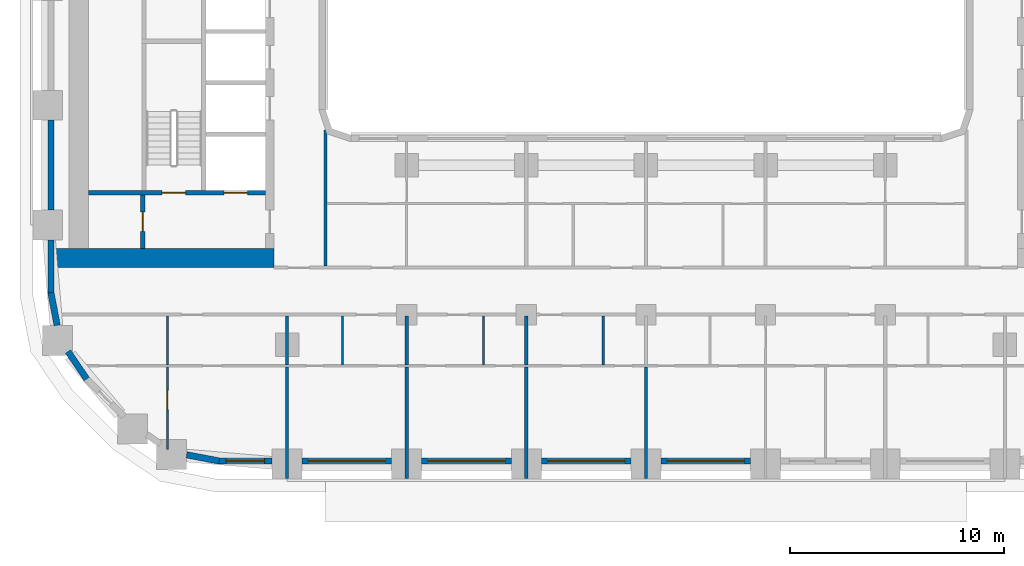
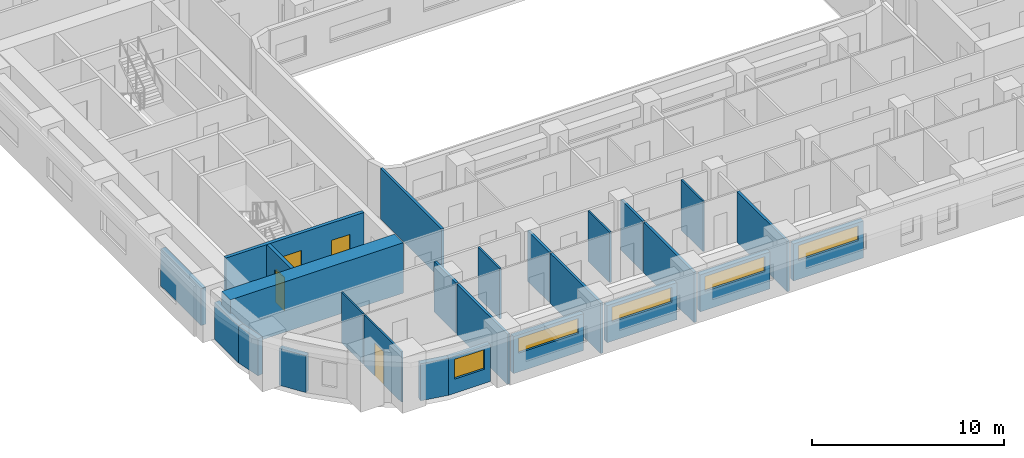
# One storey, part 2 of 22: 26 walls, 5 windows, 4 doors, 9 openings.
"""IFC4 building model written with IfcOpenShell, lengths in metres."""

from ifc_helpers import new_model, si_unit, direction, frame, frame_2d, origin, place, context, subcontext, project, spatial, rectangle, extrude, material, layer, layer_set, type_object, element, fill, save


model = new_model("IFC4")

# Units and contexts
model_context = context("Model", 3, precision=1e-05, world=origin(), true_north=direction((0.0, 1.0)))
body_context = subcontext(model_context, "Body", "Model", "MODEL_VIEW")
ifc_project = project(units=[si_unit("LENGTHUNIT", "METRE"), si_unit("AREAUNIT", "SQUARE_METRE"), si_unit("VOLUMEUNIT", "CUBIC_METRE"), si_unit("PLANEANGLEUNIT", "RADIAN"), si_unit("MASSUNIT", "GRAM", prefix="KILO")], contexts=[model_context])

# Site, building, storey
site_placement = place(None, origin())
site = spatial("IfcSite", under=ifc_project, at=site_placement, CompositionType="ELEMENT")
building_placement = place(site_placement, origin())
building = spatial("IfcBuilding", under=site, at=building_placement, Name="Kiln Ring Residences", CompositionType="ELEMENT")
storey_placement = place(building_placement, frame((0.0, 0.0, 62.0)))
storey = spatial("IfcBuildingStorey", under=building, at=storey_placement, Name="L15", CompositionType="ELEMENT", Elevation=62.0)

# Wall, opening, door
ifc_material_1 = material(Name="Gypsum board on steel studs", Category="steel")
ifc_layer_1 = layer(ifc_material_1, 0.199951171875)
ifc_layer_set_1 = layer_set([ifc_layer_1], Name="CORE-PARTITION-200")
wall_type_1 = type_object("IfcWallType", Name="CORE-PARTITION-200", PredefinedType="PARTITIONING", material=ifc_layer_set_1)
wall_1_placement = place(storey_placement, frame((-23.550048828125, -12.300048828125, 0.0), z_axis=(0.0, 0.0, 1.0), x_axis=(0.0, 1.0, 0.0)))
wall_1 = element("IfcWall", 1, at=wall_1_placement, inside=storey, type_object=wall_type_1, Name="Core partition west L15 5", PredefinedType="PARTITIONING", context=body_context, shape_type="SweptSolid", body=[
    extrude(rectangle(XDim=2.5, YDim=0.199951171875, at=frame_2d((1.25, 0.0))), origin(), (0.0, 0.0, 1.0), 3.199951171875),
])
opening_1_placement = place(wall_1_placement, frame((0.800048828125, 0.0, 0.0)))
opening_1 = element("IfcOpeningElement", 2, at=opening_1_placement, cuts=wall_1, Name="Opening L15-CW11", PredefinedType="OPENING", context=body_context, shape_type="SweptSolid", body=[
    extrude(rectangle(XDim=0.89990234375, YDim=2.10009765625, at=frame_2d((0.449951171875, 1.050048828125))), frame((0.0, 0.10986328125, 0.0), z_axis=(0.0, -1.0, 0.0), x_axis=(1.0, 0.0, 0.0)), (0.0, 0.0, 1.0), 0.219970703125),
])
ifc_material_2 = material(Name="Steel door leaf", Category="steel")
door_type_1 = type_object("IfcDoorType", Name="CORE-DOOR-ROOM", OperationType="SINGLE_SWING_LEFT", PredefinedType="DOOR", material=ifc_material_2)
door_1_placement = place(opening_1_placement, origin())
door_1 = element("IfcDoor", 3, at=door_1_placement, inside=storey, type_object=door_type_1, Name="Store L15-CW11", OperationType="SINGLE_SWING_LEFT", OverallHeight=2.10009765625, OverallWidth=0.89990234375, PredefinedType="DOOR", context=body_context, shape_type="SweptSolid", body=[
    extrude(rectangle(XDim=0.89990234375, YDim=2.10009765625, at=frame_2d((0.449951171875, 1.050048828125))), frame((0.0, 0.02490234375, 0.0), z_axis=(0.0, -1.0, 0.0), x_axis=(1.0, 0.0, 0.0)), (0.0, 0.0, 1.0), 0.050048828125),
])
fill(opening_1, door_1)

# Wall, openings, doors
ifc_material_3 = material(Name="Concrete C40/50", Category="concrete")
ifc_layer_2 = layer(ifc_material_3, 0.199951171875)
ifc_layer_set_2 = layer_set([ifc_layer_2], Name="CORE-WALL-RC200")
wall_type_2 = type_object("IfcWallType", Name="CORE-WALL-RC200", PredefinedType="SHEAR", material=ifc_layer_set_2)
wall_2_placement = place(storey_placement, frame((-17.800048828125, -9.699951171875, 0.0), z_axis=(0.0, 0.0, 1.0), x_axis=(-1.0, 0.0, 0.0)))
wall_2 = element("IfcWall", 4, at=wall_2_placement, inside=storey, type_object=wall_type_2, Name="Core wall west L15 8", PredefinedType="SHEAR", context=body_context, shape_type="SweptSolid", body=[
    extrude(rectangle(XDim=8.300048828125, YDim=0.199951171875, at=frame_2d((4.14990234375, 0.0))), origin(), (0.0, 0.0, 1.0), 3.199951171875),
])
opening_2_placement = place(wall_2_placement, frame((0.85009765625, 0.0, 0.0)))
opening_2 = element("IfcOpeningElement", 5, at=opening_2_placement, cuts=wall_2, Name="Opening L15-CW01", PredefinedType="OPENING", context=body_context, shape_type="SweptSolid", body=[
    extrude(rectangle(XDim=1.10009765625, YDim=2.10009765625, at=frame_2d((0.550048828125, 1.050048828125))), frame((0.0, 0.10986328125, 0.0), z_axis=(0.0, -1.0, 0.0), x_axis=(1.0, 0.0, 0.0)), (0.0, 0.0, 1.0), 0.219970703125),
])
opening_3_placement = place(wall_2_placement, frame((3.75, 0.0, 0.0)))
opening_3 = element("IfcOpeningElement", 6, at=opening_3_placement, cuts=wall_2, Name="Opening L15-CW13", PredefinedType="OPENING", context=body_context, shape_type="SweptSolid", body=[
    extrude(rectangle(XDim=1.10009765625, YDim=2.10009765625, at=frame_2d((0.550048828125, 1.050048828125))), frame((0.0, 0.10986328125, 0.0), z_axis=(0.0, -1.0, 0.0), x_axis=(1.0, 0.0, 0.0)), (0.0, 0.0, 1.0), 0.219970703125),
])
ifc_material_4 = material(Name="Steel door leaf", Category="steel")
door_type_2 = type_object("IfcDoorType", Name="CORE-DOOR-LD", OperationType="DOUBLE_DOOR_SLIDING", PredefinedType="DOOR", material=ifc_material_4)
door_2_placement = place(opening_2_placement, origin())
door_2 = element("IfcDoor", 7, at=door_2_placement, inside=storey, type_object=door_type_2, Name="LD W-SV L15-CW01", OperationType="DOUBLE_DOOR_SLIDING", OverallHeight=2.10009765625, OverallWidth=1.10009765625, PredefinedType="DOOR", context=body_context, shape_type="SweptSolid", body=[
    extrude(rectangle(XDim=1.10009765625, YDim=2.10009765625, at=frame_2d((0.550048828125, 1.050048828125))), frame((0.0, 0.02490234375, 0.0), z_axis=(0.0, -1.0, 0.0), x_axis=(1.0, 0.0, 0.0)), (0.0, 0.0, 1.0), 0.050048828125),
])
fill(opening_2, door_2)
ifc_material_5 = material(Name="Steel door leaf", Category="steel")
door_type_3 = type_object("IfcDoorType", Name="CORE-DOOR-STAIR", OperationType="SINGLE_SWING_LEFT", PredefinedType="DOOR", material=ifc_material_5)
door_3_placement = place(opening_3_placement, origin())
door_3 = element("IfcDoor", 8, at=door_3_placement, inside=storey, type_object=door_type_3, Name="Stair W-STS L15-CW13", OperationType="SINGLE_SWING_RIGHT", OverallHeight=2.10009765625, OverallWidth=1.10009765625, PredefinedType="DOOR", context=body_context, shape_type="SweptSolid", body=[
    extrude(rectangle(XDim=1.10009765625, YDim=2.10009765625, at=frame_2d((0.550048828125, 1.050048828125))), frame((0.0, 0.02490234375, 0.0), z_axis=(0.0, -1.0, 0.0), x_axis=(1.0, 0.0, 0.0)), (0.0, 0.0, 1.0), 0.050048828125),
])
fill(opening_3, door_3)

# Walls
ifc_material_6 = material(Name="Concrete C60/75", Category="concrete")
ifc_layer_3 = layer(ifc_material_6, 0.89990234375)
ifc_layer_set_3 = layer_set([ifc_layer_3], Name="CORE-WALL-RC900")
wall_type_3 = type_object("IfcWallType", Name="CORE-WALL-RC900", PredefinedType="SHEAR", material=ifc_layer_set_3)
wall_3_placement = place(storey_placement, frame((-17.39990234375, -12.75, 0.0), z_axis=(0.0, 0.0, 1.0), x_axis=(-1.0, 0.0, 0.0)))
element("IfcWall", 9, at=wall_3_placement, inside=storey, type_object=wall_type_3, Name="Core wall west L15 5", PredefinedType="SHEAR", context=body_context, shape_type="SweptSolid", body=[
    extrude(rectangle(XDim=10.400146484375, YDim=0.89990234375, at=frame_2d((5.2001953125, 0.0))), origin(), (0.0, 0.0, 1.0), 3.199951171875),
])
ifc_material_7 = material(Name="Brick masonry, dark clay brick", Category="masonry")
ifc_layer_4 = layer(ifc_material_7, 0.300048828125)
ifc_layer_set_4 = layer_set([ifc_layer_4], Name="EW-300 BRICK WALL")
wall_type_4 = type_object("IfcWallType", Name="EW-300 BRICK WALL", PredefinedType="SOLIDWALL", material=ifc_layer_set_4)
wall_4_placement = place(storey_placement, frame((-21.50048828125, -21.961181640625, 0.0), z_axis=(0.0, 0.0, 1.0), x_axis=(0.982297345734, -0.187328386968, 0.0)))
element("IfcWall", 10, at=wall_4_placement, inside=storey, type_object=wall_type_4, Name="Facade wall L15 3", PredefinedType="SOLIDWALL", context=body_context, shape_type="SweptSolid", body=[
    extrude(rectangle(XDim=1.55615234375, YDim=0.300048828125, at=frame_2d((0.778076171875, 0.0))), origin(), (0.0, 0.0, 1.0), 2.35009765625),
])

# Wall, opening, window
wall_5_placement = place(storey_placement, frame((-20.0, -22.25, 0.0), z_axis=(0.0, 0.0, 1.0), x_axis=(1.0, 0.0, 0.0)))
wall_5 = element("IfcWall", 11, at=wall_5_placement, inside=storey, type_object=wall_type_4, Name="Facade wall L15 4", PredefinedType="SOLIDWALL", context=body_context, shape_type="SweptSolid", body=[
    extrude(rectangle(XDim=2.5, YDim=0.300048828125, at=frame_2d((1.25, 0.0))), origin(), (0.0, 0.0, 1.0), 2.35009765625),
])
opening_4_placement = place(wall_5_placement, frame((0.35009765625, 0.0, 0.89990234375)))
opening_4 = element("IfcOpeningElement", 12, at=opening_4_placement, cuts=wall_5, Name="Opening W2", PredefinedType="OPENING", context=body_context, shape_type="SweptSolid", body=[
    extrude(rectangle(XDim=1.800048828125, YDim=1.25, at=frame_2d((0.89990234375, 0.625))), frame((0.0, 0.159912109375, 0.0), z_axis=(0.0, -1.0, 0.0), x_axis=(1.0, 0.0, 0.0)), (0.0, 0.0, 1.0), 0.320068359375),
])
ifc_material_8 = material(Name="Aluminium frame with double glazing", Category="aluminium")
window_type_1 = type_object("IfcWindowType", Name="WINDOW 1800 x 1250", PartitioningType="SINGLE_PANEL", PredefinedType="WINDOW", material=ifc_material_8)
window_1_placement = place(opening_4_placement, origin())
window_1 = element("IfcWindow", 13, at=window_1_placement, inside=storey, type_object=window_type_1, Name="Window L15 2", OverallHeight=1.25, OverallWidth=1.800048828125, PartitioningType="SINGLE_PANEL", PredefinedType="WINDOW", context=body_context, shape_type="SweptSolid", body=[
    extrude(rectangle(XDim=1.800048828125, YDim=1.25, at=frame_2d((0.89990234375, 0.625))), frame((0.0, 0.030029296875, 0.0), z_axis=(0.0, -1.0, 0.0), x_axis=(1.0, 0.0, 0.0)), (0.0, 0.0, 1.0), 0.06005859375),
])
fill(opening_4, window_1)

wall_6_placement = place(storey_placement, frame((-16.10009765625, -22.25, 0.0), z_axis=(0.0, 0.0, 1.0), x_axis=(1.0, 0.0, 0.0)))
wall_6 = element("IfcWall", 14, at=wall_6_placement, inside=storey, type_object=wall_type_4, Name="Facade wall L15 5", PredefinedType="SOLIDWALL", context=body_context, shape_type="SweptSolid", body=[
    extrude(rectangle(XDim=4.2001953125, YDim=0.300048828125, at=frame_2d((2.10009765625, 0.0))), origin(), (0.0, 0.0, 1.0), 2.35009765625),
])
opening_5_placement = place(wall_6_placement, frame((0.300048828125, 0.0, 1.199951171875)))
opening_5 = element("IfcOpeningElement", 15, at=opening_5_placement, cuts=wall_6, Name="Opening W4", PredefinedType="OPENING", context=body_context, shape_type="SweptSolid", body=[
    extrude(rectangle(XDim=3.60009765625, YDim=0.949951171875, at=frame_2d((1.800048828125, 0.47509765625))), frame((0.0, 0.159912109375, 0.0), z_axis=(0.0, -1.0, 0.0), x_axis=(1.0, 0.0, 0.0)), (0.0, 0.0, 1.0), 0.320068359375),
])
ifc_material_9 = material(Name="Aluminium frame with double glazing", Category="aluminium")
window_type_2 = type_object("IfcWindowType", Name="WINDOW 3600 x 950", PartitioningType="SINGLE_PANEL", PredefinedType="WINDOW", material=ifc_material_9)
window_2_placement = place(opening_5_placement, origin())
window_2 = element("IfcWindow", 16, at=window_2_placement, inside=storey, type_object=window_type_2, Name="Window L15 3", OverallHeight=0.949951171875, OverallWidth=3.60009765625, PartitioningType="SINGLE_PANEL", PredefinedType="WINDOW", context=body_context, shape_type="SweptSolid", body=[
    extrude(rectangle(XDim=3.60009765625, YDim=0.949951171875, at=frame_2d((1.800048828125, 0.47509765625))), frame((0.0, 0.030029296875, 0.0), z_axis=(0.0, -1.0, 0.0), x_axis=(1.0, 0.0, 0.0)), (0.0, 0.0, 1.0), 0.06005859375),
])
fill(opening_5, window_2)

wall_7_placement = place(storey_placement, frame((-10.5, -22.25, 0.0), z_axis=(0.0, 0.0, 1.0), x_axis=(1.0, 0.0, 0.0)))
wall_7 = element("IfcWall", 17, at=wall_7_placement, inside=storey, type_object=wall_type_4, Name="Facade wall L15 6", PredefinedType="SOLIDWALL", context=body_context, shape_type="SweptSolid", body=[
    extrude(rectangle(XDim=4.199951171875, YDim=0.300048828125, at=frame_2d((2.10009765625, 0.0))), origin(), (0.0, 0.0, 1.0), 2.35009765625),
])
opening_6_placement = place(wall_7_placement, frame((0.300048828125, 0.0, 1.199951171875)))
opening_6 = element("IfcOpeningElement", 18, at=opening_6_placement, cuts=wall_7, Name="Opening W4", PredefinedType="OPENING", context=body_context, shape_type="SweptSolid", body=[
    extrude(rectangle(XDim=3.60009765625, YDim=0.949951171875, at=frame_2d((1.800048828125, 0.47509765625))), frame((0.0, 0.159912109375, 0.0), z_axis=(0.0, -1.0, 0.0), x_axis=(1.0, 0.0, 0.0)), (0.0, 0.0, 1.0), 0.320068359375),
])
window_3_placement = place(opening_6_placement, origin())
window_3 = element("IfcWindow", 19, at=window_3_placement, inside=storey, type_object=window_type_2, Name="Window L15 4", OverallHeight=0.949951171875, OverallWidth=3.60009765625, PartitioningType="SINGLE_PANEL", PredefinedType="WINDOW", context=body_context, shape_type="SweptSolid", body=[
    extrude(rectangle(XDim=3.60009765625, YDim=0.949951171875, at=frame_2d((1.800048828125, 0.47509765625))), frame((0.0, 0.030029296875, 0.0), z_axis=(0.0, -1.0, 0.0), x_axis=(1.0, 0.0, 0.0)), (0.0, 0.0, 1.0), 0.06005859375),
])
fill(opening_6, window_3)

wall_8_placement = place(storey_placement, frame((-4.89990234375, -22.25, 0.0), z_axis=(0.0, 0.0, 1.0), x_axis=(1.0, 0.0, 0.0)))
wall_8 = element("IfcWall", 20, at=wall_8_placement, inside=storey, type_object=wall_type_4, Name="Facade wall L15 7", PredefinedType="SOLIDWALL", context=body_context, shape_type="SweptSolid", body=[
    extrude(rectangle(XDim=4.199951171875, YDim=0.300048828125, at=frame_2d((2.10009765625, 0.0))), origin(), (0.0, 0.0, 1.0), 2.35009765625),
])
opening_7_placement = place(wall_8_placement, frame((0.300048828125, 0.0, 1.199951171875)))
opening_7 = element("IfcOpeningElement", 21, at=opening_7_placement, cuts=wall_8, Name="Opening W4", PredefinedType="OPENING", context=body_context, shape_type="SweptSolid", body=[
    extrude(rectangle(XDim=3.60009765625, YDim=0.949951171875, at=frame_2d((1.800048828125, 0.47509765625))), frame((0.0, 0.159912109375, 0.0), z_axis=(0.0, -1.0, 0.0), x_axis=(1.0, 0.0, 0.0)), (0.0, 0.0, 1.0), 0.320068359375),
])
window_4_placement = place(opening_7_placement, origin())
window_4 = element("IfcWindow", 22, at=window_4_placement, inside=storey, type_object=window_type_2, Name="Window L15 5", OverallHeight=0.949951171875, OverallWidth=3.60009765625, PartitioningType="SINGLE_PANEL", PredefinedType="WINDOW", context=body_context, shape_type="SweptSolid", body=[
    extrude(rectangle(XDim=3.60009765625, YDim=0.949951171875, at=frame_2d((1.800048828125, 0.47509765625))), frame((0.0, 0.030029296875, 0.0), z_axis=(0.0, -1.0, 0.0), x_axis=(1.0, 0.0, 0.0)), (0.0, 0.0, 1.0), 0.06005859375),
])
fill(opening_7, window_4)

wall_9_placement = place(storey_placement, frame((0.699951171875, -22.25, 0.0), z_axis=(0.0, 0.0, 1.0), x_axis=(1.0, 0.0, 0.0)))
wall_9 = element("IfcWall", 23, at=wall_9_placement, inside=storey, type_object=wall_type_4, Name="Facade wall L15 8", PredefinedType="SOLIDWALL", context=body_context, shape_type="SweptSolid", body=[
    extrude(rectangle(XDim=4.199951171875, YDim=0.300048828125, at=frame_2d((2.10009765625, 0.0))), origin(), (0.0, 0.0, 1.0), 2.35009765625),
])
opening_8_placement = place(wall_9_placement, frame((0.300048828125, 0.0, 1.199951171875)))
opening_8 = element("IfcOpeningElement", 24, at=opening_8_placement, cuts=wall_9, Name="Opening W4", PredefinedType="OPENING", context=body_context, shape_type="SweptSolid", body=[
    extrude(rectangle(XDim=3.60009765625, YDim=0.949951171875, at=frame_2d((1.800048828125, 0.47509765625))), frame((0.0, 0.159912109375, 0.0), z_axis=(0.0, -1.0, 0.0), x_axis=(1.0, 0.0, 0.0)), (0.0, 0.0, 1.0), 0.320068359375),
])
window_5_placement = place(opening_8_placement, origin())
window_5 = element("IfcWindow", 25, at=window_5_placement, inside=storey, type_object=window_type_2, Name="Window L15 6", OverallHeight=0.949951171875, OverallWidth=3.60009765625, PartitioningType="SINGLE_PANEL", PredefinedType="WINDOW", context=body_context, shape_type="SweptSolid", body=[
    extrude(rectangle(XDim=3.60009765625, YDim=0.949951171875, at=frame_2d((1.800048828125, 0.47509765625))), frame((0.0, 0.030029296875, 0.0), z_axis=(0.0, -1.0, 0.0), x_axis=(1.0, 0.0, 0.0)), (0.0, 0.0, 1.0), 0.06005859375),
])
fill(opening_8, window_5)

# Walls
wall_10_placement = place(storey_placement, frame((-27.85009765625, -6.300048828125, 0.0), z_axis=(0.0, 0.0, 1.0), x_axis=(0.0, -1.0, 0.0)))
element("IfcWall", 26, at=wall_10_placement, inside=storey, type_object=wall_type_4, Name="Facade wall L15 45", PredefinedType="SOLIDWALL", context=body_context, shape_type="SweptSolid", body=[
    extrude(rectangle(XDim=4.199951171875, YDim=0.300048828125, at=frame_2d((2.10009765625, 0.0))), origin(), (0.0, 0.0, 1.0), 2.35009765625),
])
wall_11_placement = place(storey_placement, frame((-27.85009765625, -11.89990234375, 0.0), z_axis=(0.0, 0.0, 1.0), x_axis=(0.0, -1.0, 0.0)))
element("IfcWall", 27, at=wall_11_placement, inside=storey, type_object=wall_type_4, Name="Facade wall L15 46", PredefinedType="SOLIDWALL", context=body_context, shape_type="SweptSolid", body=[
    extrude(rectangle(XDim=2.5, YDim=0.300048828125, at=frame_2d((1.25, 0.0))), origin(), (0.0, 0.0, 1.0), 2.35009765625),
])
for number, where, z_axis, x_axis, name in (
    (28, (-27.8525390625, -14.371826171875, 0.0), (0.0, 0.0, 1.0), (0.187328386968, -0.982297345734, 0.0), "Facade wall L15 47"),
    (29, (-27.053466796875, -17.125732421875, 0.0), (0.0, 0.0, 1.0), (0.56199241657, -0.827142384187, 0.0), "Facade wall L15 48"),
):
    element("IfcWall", number, at=place(storey_placement, frame(where, z_axis=z_axis, x_axis=x_axis)), inside=storey, type_object=wall_type_4, Name=name, PredefinedType="SOLIDWALL", context=body_context, shape_type="SweptSolid", body=[
        extrude(rectangle(XDim=1.55615234375, YDim=0.300048828125, at=frame_2d((0.778076171875, 0.0))), origin(), (0.0, 0.0, 1.0), 2.35009765625),
    ])

# Wall, opening, door
ifc_material_10 = material(Name="Gypsum board on steel studs", Category="steel")
ifc_layer_5 = layer(ifc_material_10, 0.10009765625)
ifc_layer_set_5 = layer_set([ifc_layer_5], Name="PARTITION-100")
wall_type_5 = type_object("IfcWallType", Name="PARTITION-100", PredefinedType="PARTITIONING", material=ifc_layer_set_5)
wall_12_placement = place(storey_placement, frame((-22.39990234375, -21.719970703125, 0.0), z_axis=(0.0, 0.0, 1.0), x_axis=(0.0, 1.0, 0.0)))
wall_12 = element("IfcWall", 30, at=wall_12_placement, inside=storey, type_object=wall_type_5, Name="Partition 008", PredefinedType="PARTITIONING", context=body_context, shape_type="SweptSolid", body=[
    extrude(rectangle(XDim=3.869873046875, YDim=0.10009765625, at=frame_2d((1.93505859375, 0.0))), origin(), (0.0, 0.0, 1.0), 3.199951171875),
])
opening_9_placement = place(wall_12_placement, frame((1.8701171875, 0.0, 0.0)))
opening_9 = element("IfcOpeningElement", 31, at=opening_9_placement, cuts=wall_12, Name="Opening L15-D060", PredefinedType="OPENING", context=body_context, shape_type="SweptSolid", body=[
    extrude(rectangle(XDim=0.89990234375, YDim=2.10009765625, at=frame_2d((0.449951171875, 1.050048828125))), frame((0.0, 0.06005859375, 0.0), z_axis=(0.0, -1.0, 0.0), x_axis=(1.0, 0.0, 0.0)), (0.0, 0.0, 1.0), 0.1201171875),
])
ifc_material_11 = material(Name="Timber door leaf", Category="wood")
door_type_4 = type_object("IfcDoorType", Name="FLAT-DOOR-900-PL", OperationType="SINGLE_SWING_LEFT", PredefinedType="DOOR", material=ifc_material_11)
door_4_placement = place(opening_9_placement, origin())
door_4 = element("IfcDoor", 32, at=door_4_placement, inside=storey, type_object=door_type_4, Name="Door L15-D060", OperationType="SINGLE_SWING_LEFT", OverallHeight=2.10009765625, OverallWidth=0.89990234375, PredefinedType="DOOR", context=body_context, shape_type="SweptSolid", body=[
    extrude(rectangle(XDim=0.89990234375, YDim=2.10009765625, at=frame_2d((0.449951171875, 1.050048828125))), frame((0.0, 0.02490234375, 0.0), z_axis=(0.0, -1.0, 0.0), x_axis=(1.0, 0.0, 0.0)), (0.0, 0.0, 1.0), 0.050048828125),
])
fill(opening_9, door_4)

# Walls
for number, where, z_axis, x_axis, name in (
    (33, (-22.39990234375, -17.75, 0.0), (0.0, 0.0, 1.0), (0.0, 1.0, 0.0), "Partition 009"),
    (34, (-14.199951171875, -17.75, 0.0), (0.0, 0.0, 1.0), (0.0, 1.0, 0.0), "Partition 019"),
    (35, (-7.60009765625, -17.75, 0.0), (0.0, 0.0, 1.0), (0.0, 1.0, 0.0), "Partition 029"),
    (36, (-2.0, -17.75, 0.0), (0.0, 0.0, 1.0), (0.0, 1.0, 0.0), "Partition 040"),
):
    element("IfcWall", number, at=place(storey_placement, frame(where, z_axis=z_axis, x_axis=x_axis)), inside=storey, type_object=wall_type_5, Name=name, PredefinedType="PARTITIONING", context=body_context, shape_type="SweptSolid", body=[
        extrude(rectangle(XDim=2.27490234375, YDim=0.10009765625, at=frame_2d((1.137451171875, 0.0))), origin(), (0.0, 0.0, 1.0), 3.199951171875),
    ])
ifc_material_12 = material(Name="Brick masonry partition", Category="masonry")
ifc_layer_6 = layer(ifc_material_12, 0.14990234375)
ifc_layer_set_6 = layer_set([ifc_layer_6], Name="PARTITION-150-ei60")
wall_type_6 = type_object("IfcWallType", Name="PARTITION-150-ei60", PredefinedType="PARTITIONING", material=ifc_layer_set_6)
wall_13_placement = place(storey_placement, frame((-16.800048828125, -23.080078125, 0.0), z_axis=(0.0, 0.0, 1.0), x_axis=(0.0, 1.0, 0.0)))
element("IfcWall", 37, at=wall_13_placement, inside=storey, type_object=wall_type_6, Name="Partition 012", PredefinedType="PARTITIONING", context=body_context, shape_type="SweptSolid", body=[
    extrude(rectangle(XDim=5.22998046875, YDim=0.14990234375, at=frame_2d((2.614990234375, 0.0))), origin(), (0.0, 0.0, 1.0), 3.199951171875),
])
wall_14_placement = place(storey_placement, frame((-16.800048828125, -17.75, 0.0), z_axis=(0.0, 0.0, 1.0), x_axis=(0.0, 1.0, 0.0)))
element("IfcWall", 38, at=wall_14_placement, inside=storey, type_object=wall_type_6, Name="Partition 013", PredefinedType="PARTITIONING", context=body_context, shape_type="SweptSolid", body=[
    extrude(rectangle(XDim=2.27490234375, YDim=0.14990234375, at=frame_2d((1.137451171875, 0.0))), origin(), (0.0, 0.0, 1.0), 3.199951171875),
])
wall_15_placement = place(storey_placement, frame((-15.0, -13.125, 0.0), z_axis=(0.0, 0.0, 1.0), x_axis=(0.0, 1.0, 0.0)))
element("IfcWall", 39, at=wall_15_placement, inside=storey, type_object=wall_type_6, Name="Partition 016", PredefinedType="PARTITIONING", context=body_context, shape_type="SweptSolid", body=[
    extrude(rectangle(XDim=6.356201171875, YDim=0.14990234375, at=frame_2d((3.17822265625, 0.0))), origin(), (0.0, 0.0, 1.0), 3.199951171875),
])
wall_16_placement = place(storey_placement, frame((-11.199951171875, -23.080078125, 0.0), z_axis=(0.0, 0.0, 1.0), x_axis=(0.0, 1.0, 0.0)))
element("IfcWall", 40, at=wall_16_placement, inside=storey, type_object=wall_type_6, Name="Partition 024", PredefinedType="PARTITIONING", context=body_context, shape_type="SweptSolid", body=[
    extrude(rectangle(XDim=5.22998046875, YDim=0.14990234375, at=frame_2d((2.614990234375, 0.0))), origin(), (0.0, 0.0, 1.0), 3.199951171875),
])
wall_17_placement = place(storey_placement, frame((-11.199951171875, -17.75, 0.0), z_axis=(0.0, 0.0, 1.0), x_axis=(0.0, 1.0, 0.0)))
element("IfcWall", 41, at=wall_17_placement, inside=storey, type_object=wall_type_6, Name="Partition 025", PredefinedType="PARTITIONING", context=body_context, shape_type="SweptSolid", body=[
    extrude(rectangle(XDim=2.27490234375, YDim=0.14990234375, at=frame_2d((1.137451171875, 0.0))), origin(), (0.0, 0.0, 1.0), 3.199951171875),
])
wall_18_placement = place(storey_placement, frame((-5.60009765625, -23.080078125, 0.0), z_axis=(0.0, 0.0, 1.0), x_axis=(0.0, 1.0, 0.0)))
element("IfcWall", 42, at=wall_18_placement, inside=storey, type_object=wall_type_6, Name="Partition 030", PredefinedType="PARTITIONING", context=body_context, shape_type="SweptSolid", body=[
    extrude(rectangle(XDim=5.22998046875, YDim=0.14990234375, at=frame_2d((2.614990234375, 0.0))), origin(), (0.0, 0.0, 1.0), 3.199951171875),
])
wall_19_placement = place(storey_placement, frame((-5.60009765625, -17.75, 0.0), z_axis=(0.0, 0.0, 1.0), x_axis=(0.0, 1.0, 0.0)))
element("IfcWall", 43, at=wall_19_placement, inside=storey, type_object=wall_type_6, Name="Partition 031", PredefinedType="PARTITIONING", context=body_context, shape_type="SweptSolid", body=[
    extrude(rectangle(XDim=2.27490234375, YDim=0.14990234375, at=frame_2d((1.137451171875, 0.0))), origin(), (0.0, 0.0, 1.0), 3.199951171875),
])
wall_20_placement = place(storey_placement, frame((0.0, -23.080078125, 0.0), z_axis=(0.0, 0.0, 1.0), x_axis=(0.0, 1.0, 0.0)))
element("IfcWall", 44, at=wall_20_placement, inside=storey, type_object=wall_type_6, Name="Partition 043", PredefinedType="PARTITIONING", context=body_context, shape_type="SweptSolid", body=[
    extrude(rectangle(XDim=5.22998046875, YDim=0.14990234375, at=frame_2d((2.614990234375, 0.0))), origin(), (0.0, 0.0, 1.0), 3.199951171875),
])

save(model, "model.ifc")
